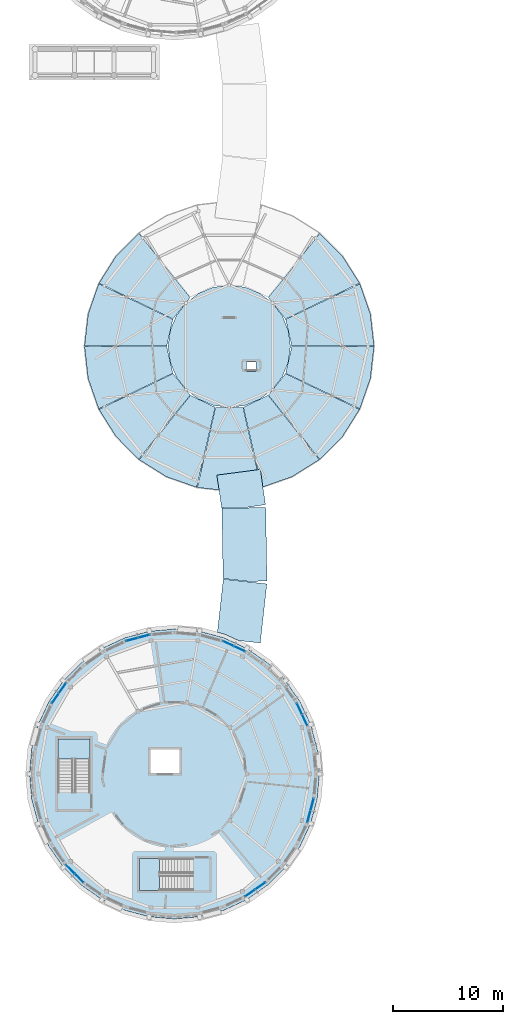
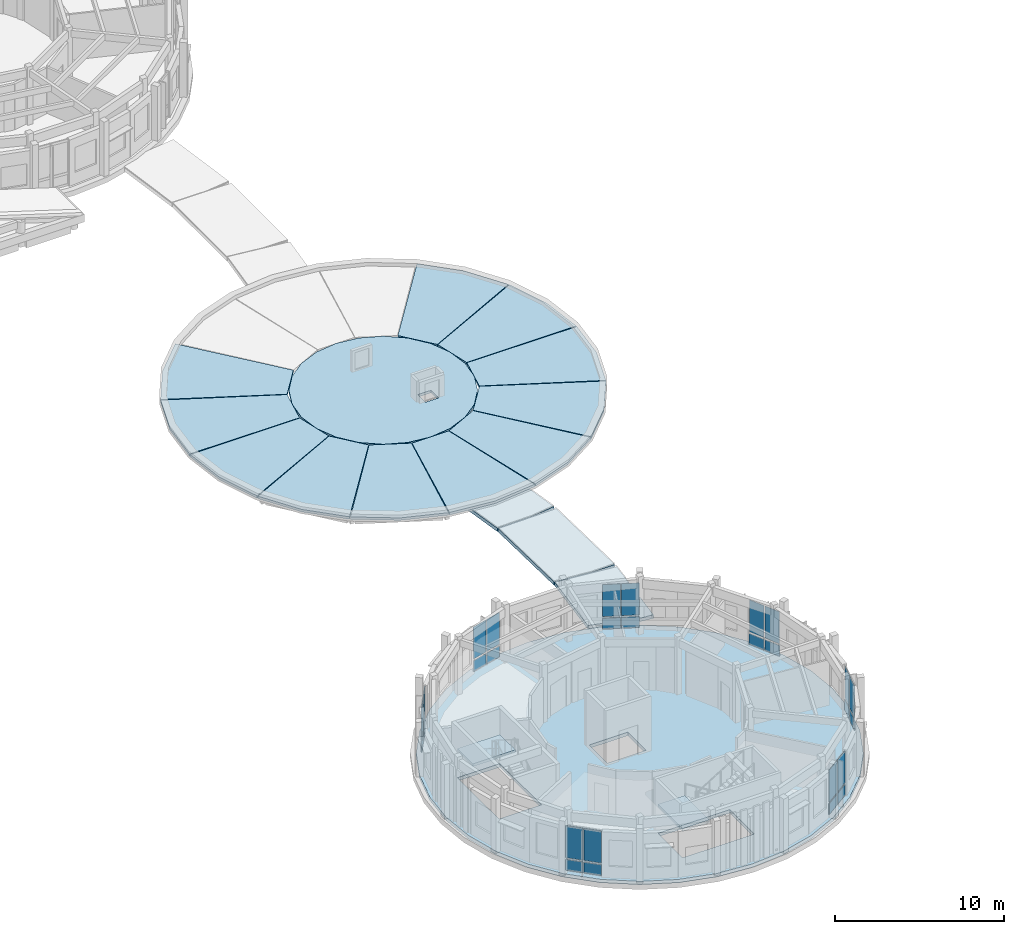
# One storey, part 21 of 58: 28 plates, 18 slabs, 9 elements without a shape of their own.
"""IFC4 building model written with IfcOpenShell, lengths in metres."""

from ifc_helpers import new_model, si_unit, direction, frame, origin, origin_2d, place, context, subcontext, project, spatial, polyline, rectangle, outline, extrude, material, layer, layer_set, type_object, element, aggregate, save


model = new_model("IFC4")

# Units and contexts
model_context = context("Model", 3, precision=1e-05, world=origin(), true_north=direction((0.0, 1.0)))
body_context = subcontext(model_context, "Body", "Model", "MODEL_VIEW")
ifc_project = project(units=[si_unit("LENGTHUNIT", "METRE"), si_unit("AREAUNIT", "SQUARE_METRE"), si_unit("VOLUMEUNIT", "CUBIC_METRE"), si_unit("PLANEANGLEUNIT", "RADIAN"), si_unit("MASSUNIT", "GRAM", prefix="KILO")], contexts=[model_context])

# Site, building, storey
site_placement = place(None, origin())
site = spatial("IfcSite", under=ifc_project, at=site_placement, CompositionType="ELEMENT")
building_placement = place(site_placement, origin())
building = spatial("IfcBuilding", under=site, at=building_placement, Name="Aldenvaro Health Centre", CompositionType="ELEMENT")
storey_placement = place(building_placement, frame((0.0, 0.0, 8.75)))
storey = spatial("IfcBuildingStorey", under=building, at=storey_placement, Name="L02", CompositionType="ELEMENT", Elevation=8.75)

# Curtain wall, plates
ifc_material_1 = material(Name="Anodised Aluminium 6063-T6", Category="aluminium")
ifc_layer_1 = layer(ifc_material_1, 0.195068359375, Name="Anodised Aluminium 6063-T6", Category="aluminium")
ifc_layer_set_1 = layer_set([ifc_layer_1], Name="Anodised Aluminium 6063-T6")
curtain_wall_type = type_object("IfcCurtainWallType", Name="CW-CLN-02", PredefinedType="NOTDEFINED", material=ifc_layer_set_1)
curtain_wall_1_placement = place(storey_placement, origin())
curtain_wall_1 = element("IfcCurtainWall", 1, at=curtain_wall_1_placement, inside=storey, type_object=curtain_wall_type, Name="D5 L02 curtain wall bay 02", PredefinedType="NOTDEFINED")
ifc_material_2 = material(Name="Low-E Double Glazing IGU", Category="glass")
ifc_layer_2 = layer(ifc_material_2, 0.028076171875, Name="Low-E Double Glazing IGU", Category="glass")
ifc_layer_set_2 = layer_set([ifc_layer_2], Name="Low-E Double Glazing IGU")
plate_type_1 = type_object("IfcPlateType", Name="CWP-IGU-28", PredefinedType="CURTAIN_PANEL", material=ifc_layer_set_2)
plate_1_placement = place(storey_placement, frame((31.05908203125, 15.717041015625, 0.96044921875), z_axis=(0.0, 0.0, 1.0), x_axis=(-0.258825000966, -0.9659242304, 0.0)))
plate_1 = element("IfcPlate", 2, at=plate_1_placement, type_object=plate_type_1, Name="D5 L02 curtain wall bay 02 vision glazing 1", PredefinedType="CURTAIN_PANEL", context=body_context, shape_type="SweptSolid", body=[
    extrude(rectangle(XDim=1.053955078125, YDim=0.028076171875, at=origin_2d()), origin(), (0.0, 0.0, 1.0), 2.30908203125),
])
plate_2_placement = place(storey_placement, frame((30.76708984375, 14.631103515625, 0.96044921875), z_axis=(0.0, 0.0, 1.0), x_axis=(-0.258825000966, -0.9659242304, 0.0)))
plate_2 = element("IfcPlate", 3, at=plate_2_placement, type_object=plate_type_1, Name="D5 L02 curtain wall bay 02 vision glazing 2", PredefinedType="CURTAIN_PANEL", context=body_context, shape_type="SweptSolid", body=[
    extrude(rectangle(XDim=1.053955078125, YDim=0.028076171875, at=origin_2d()), origin(), (0.0, 0.0, 1.0), 2.30908203125),
])

curtain_wall_2_placement = place(storey_placement, origin())
curtain_wall_2 = element("IfcCurtainWall", 4, at=curtain_wall_2_placement, inside=storey, type_object=curtain_wall_type, Name="D5 L02 curtain wall bay 06", PredefinedType="NOTDEFINED")
plate_3_placement = place(storey_placement, frame((26.33203125, 8.2958984375, 0.96044921875), z_axis=(0.0, 0.0, 1.0), x_axis=(-0.819106553991, -0.573641397746, 0.0)))
plate_3 = element("IfcPlate", 5, at=plate_3_placement, type_object=plate_type_1, Name="D5 L02 curtain wall bay 06 vision glazing 1", PredefinedType="CURTAIN_PANEL", context=body_context, shape_type="SweptSolid", body=[
    extrude(rectangle(XDim=1.053955078125, YDim=0.028076171875, at=origin_2d()), origin(), (0.0, 0.0, 1.0), 2.30908203125),
])
plate_4_placement = place(storey_placement, frame((25.409912109375, 7.65087890625, 0.96044921875), z_axis=(0.0, 0.0, 1.0), x_axis=(-0.819106553991, -0.573641397746, 0.0)))
plate_4 = element("IfcPlate", 6, at=plate_4_placement, type_object=plate_type_1, Name="D5 L02 curtain wall bay 06 vision glazing 2", PredefinedType="CURTAIN_PANEL", context=body_context, shape_type="SweptSolid", body=[
    extrude(rectangle(XDim=1.053955078125, YDim=0.028076171875, at=origin_2d()), origin(), (0.0, 0.0, 1.0), 2.30908203125),
])

curtain_wall_3_placement = place(storey_placement, origin())
curtain_wall_3 = element("IfcCurtainWall", 7, at=curtain_wall_3_placement, inside=storey, type_object=curtain_wall_type, Name="D5 L02 curtain wall bay 14", PredefinedType="NOTDEFINED")
plate_5_placement = place(storey_placement, frame((9.81103515625, 9.014892578125, 0.96044921875), z_axis=(0.0, 0.0, 1.0), x_axis=(-0.707106781187, 0.707106781187, 0.0)))
plate_5 = element("IfcPlate", 8, at=plate_5_placement, type_object=plate_type_1, Name="D5 L02 curtain wall bay 14 vision glazing 1", PredefinedType="CURTAIN_PANEL", context=body_context, shape_type="SweptSolid", body=[
    extrude(rectangle(XDim=1.053955078125, YDim=0.028076171875, at=origin_2d()), origin(), (0.0, 0.0, 1.0), 2.30908203125),
])
plate_6_placement = place(storey_placement, frame((9.014892578125, 9.81103515625, 0.96044921875), z_axis=(0.0, 0.0, 1.0), x_axis=(-0.707106781187, 0.707106781187, 0.0)))
plate_6 = element("IfcPlate", 9, at=plate_6_placement, type_object=plate_type_1, Name="D5 L02 curtain wall bay 14 vision glazing 2", PredefinedType="CURTAIN_PANEL", context=body_context, shape_type="SweptSolid", body=[
    extrude(rectangle(XDim=1.053955078125, YDim=0.028076171875, at=origin_2d()), origin(), (0.0, 0.0, 1.0), 2.30908203125),
])

curtain_wall_4_placement = place(storey_placement, origin())
curtain_wall_4 = element("IfcCurtainWall", 10, at=curtain_wall_4_placement, inside=storey, type_object=curtain_wall_type, Name="D5 L02 curtain wall bay 22", PredefinedType="NOTDEFINED")
plate_7_placement = place(storey_placement, frame((7.65087890625, 25.409912109375, 0.96044921875), z_axis=(0.0, 0.0, 1.0), x_axis=(0.573641397746, 0.819106553991, 0.0)))
plate_7 = element("IfcPlate", 11, at=plate_7_placement, type_object=plate_type_1, Name="D5 L02 curtain wall bay 22 vision glazing 1", PredefinedType="CURTAIN_PANEL", context=body_context, shape_type="SweptSolid", body=[
    extrude(rectangle(XDim=1.053955078125, YDim=0.028076171875, at=origin_2d()), origin(), (0.0, 0.0, 1.0), 2.30908203125),
])
plate_8_placement = place(storey_placement, frame((8.2958984375, 26.33203125, 0.96044921875), z_axis=(0.0, 0.0, 1.0), x_axis=(0.573641397746, 0.819106553991, 0.0)))
plate_8 = element("IfcPlate", 12, at=plate_8_placement, type_object=plate_type_1, Name="D5 L02 curtain wall bay 22 vision glazing 2", PredefinedType="CURTAIN_PANEL", context=body_context, shape_type="SweptSolid", body=[
    extrude(rectangle(XDim=1.053955078125, YDim=0.028076171875, at=origin_2d()), origin(), (0.0, 0.0, 1.0), 2.30908203125),
])

curtain_wall_5_placement = place(storey_placement, origin())
curtain_wall_5 = element("IfcCurtainWall", 13, at=curtain_wall_5_placement, inside=storey, type_object=curtain_wall_type, Name="D5 L02 curtain wall bay 26", PredefinedType="NOTDEFINED")
plate_9_placement = place(storey_placement, frame((14.631103515625, 30.76708984375, 0.96044921875), z_axis=(0.0, 0.0, 1.0), x_axis=(0.9659242304, 0.258825000966, 0.0)))
plate_9 = element("IfcPlate", 14, at=plate_9_placement, type_object=plate_type_1, Name="D5 L02 curtain wall bay 26 vision glazing 1", PredefinedType="CURTAIN_PANEL", context=body_context, shape_type="SweptSolid", body=[
    extrude(rectangle(XDim=1.053955078125, YDim=0.028076171875, at=origin_2d()), origin(), (0.0, 0.0, 1.0), 2.30908203125),
])
plate_10_placement = place(storey_placement, frame((15.717041015625, 31.05908203125, 0.96044921875), z_axis=(0.0, 0.0, 1.0), x_axis=(0.9659242304, 0.258825000966, 0.0)))
plate_10 = element("IfcPlate", 15, at=plate_10_placement, type_object=plate_type_1, Name="D5 L02 curtain wall bay 26 vision glazing 2", PredefinedType="CURTAIN_PANEL", context=body_context, shape_type="SweptSolid", body=[
    extrude(rectangle(XDim=1.053955078125, YDim=0.028076171875, at=origin_2d()), origin(), (0.0, 0.0, 1.0), 2.30908203125),
])

curtain_wall_6_placement = place(storey_placement, origin())
curtain_wall_6 = element("IfcCurtainWall", 16, at=curtain_wall_6_placement, inside=storey, type_object=curtain_wall_type, Name="D5 L02 curtain wall bay 30", PredefinedType="NOTDEFINED")
plate_11_placement = place(storey_placement, frame((23.4208984375, 30.384033203125, 0.96044921875), z_axis=(0.0, 0.0, 1.0), x_axis=(0.906364844733, -0.422495879545, 0.0)))
plate_11 = element("IfcPlate", 17, at=plate_11_placement, type_object=plate_type_1, Name="D5 L02 curtain wall bay 30 vision glazing 1", PredefinedType="CURTAIN_PANEL", context=body_context, shape_type="SweptSolid", body=[
    extrude(rectangle(XDim=1.053955078125, YDim=0.028076171875, at=origin_2d()), origin(), (0.0, 0.0, 1.0), 2.30908203125),
])
plate_12_placement = place(storey_placement, frame((24.44091796875, 29.909912109375, 0.96044921875), z_axis=(0.0, 0.0, 1.0), x_axis=(0.906364844733, -0.422495879545, 0.0)))
plate_12 = element("IfcPlate", 18, at=plate_12_placement, type_object=plate_type_1, Name="D5 L02 curtain wall bay 30 vision glazing 2", PredefinedType="CURTAIN_PANEL", context=body_context, shape_type="SweptSolid", body=[
    extrude(rectangle(XDim=1.053955078125, YDim=0.028076171875, at=origin_2d()), origin(), (0.0, 0.0, 1.0), 2.30908203125),
])

curtain_wall_7_placement = place(storey_placement, origin())
curtain_wall_7 = element("IfcCurtainWall", 19, at=curtain_wall_7_placement, inside=storey, type_object=curtain_wall_type, Name="D5 L02 curtain wall bay 34", PredefinedType="NOTDEFINED")
plate_13_placement = place(storey_placement, frame((29.909912109375, 24.44091796875, 0.96044921875), z_axis=(0.0, 0.0, 1.0), x_axis=(0.422495879545, -0.906364844733, 0.0)))
plate_13 = element("IfcPlate", 20, at=plate_13_placement, type_object=plate_type_1, Name="D5 L02 curtain wall bay 34 vision glazing 1", PredefinedType="CURTAIN_PANEL", context=body_context, shape_type="SweptSolid", body=[
    extrude(rectangle(XDim=1.053955078125, YDim=0.028076171875, at=origin_2d()), origin(), (0.0, 0.0, 1.0), 2.30908203125),
])
plate_14_placement = place(storey_placement, frame((30.384033203125, 23.4208984375, 0.96044921875), z_axis=(0.0, 0.0, 1.0), x_axis=(0.422495879545, -0.906364844733, 0.0)))
plate_14 = element("IfcPlate", 21, at=plate_14_placement, type_object=plate_type_1, Name="D5 L02 curtain wall bay 34 vision glazing 2", PredefinedType="CURTAIN_PANEL", context=body_context, shape_type="SweptSolid", body=[
    extrude(rectangle(XDim=1.053955078125, YDim=0.028076171875, at=origin_2d()), origin(), (0.0, 0.0, 1.0), 2.30908203125),
])

# Plate
ifc_material_3 = material(Name="Insulated Aluminium Spandrel", Category="aluminium")
ifc_layer_3 = layer(ifc_material_3, 0.035888671875, Name="Insulated Aluminium Spandrel", Category="aluminium")
ifc_layer_set_3 = layer_set([ifc_layer_3], Name="Insulated Aluminium Spandrel")
plate_type_2 = type_object("IfcPlateType", Name="CWP-SPN-36", PredefinedType="CURTAIN_PANEL", material=ifc_layer_set_3)
plate_15_placement = place(storey_placement, frame((31.05908203125, 15.717041015625, 0.06005859375), z_axis=(0.0, 0.0, 1.0), x_axis=(-0.258825000966, -0.9659242304, 0.0)))
plate_15 = element("IfcPlate", 22, at=plate_15_placement, type_object=plate_type_2, Name="D5 L02 curtain wall bay 02 spandrel panel 1", PredefinedType="CURTAIN_PANEL", context=body_context, shape_type="SweptSolid", body=[
    extrude(rectangle(XDim=1.053955078125, YDim=0.035888671875, at=origin_2d()), origin(), (0.0, 0.0, 1.0), 0.780029296875),
])

plate_16_placement = place(storey_placement, frame((30.76708984375, 14.631103515625, 0.06005859375), z_axis=(0.0, 0.0, 1.0), x_axis=(-0.258825000966, -0.9659242304, 0.0)))
plate_16 = element("IfcPlate", 23, at=plate_16_placement, type_object=plate_type_2, Name="D5 L02 curtain wall bay 02 spandrel panel 2", PredefinedType="CURTAIN_PANEL", context=body_context, shape_type="SweptSolid", body=[
    extrude(rectangle(XDim=1.053955078125, YDim=0.035888671875, at=origin_2d()), origin(), (0.0, 0.0, 1.0), 0.780029296875),
])

aggregate(curtain_wall_1, [plate_15, plate_1, plate_16, plate_2])

plate_17_placement = place(storey_placement, frame((26.33203125, 8.2958984375, 0.06005859375), z_axis=(0.0, 0.0, 1.0), x_axis=(-0.819106553991, -0.573641397746, 0.0)))
plate_17 = element("IfcPlate", 24, at=plate_17_placement, type_object=plate_type_2, Name="D5 L02 curtain wall bay 06 spandrel panel 1", PredefinedType="CURTAIN_PANEL", context=body_context, shape_type="SweptSolid", body=[
    extrude(rectangle(XDim=1.053955078125, YDim=0.035888671875, at=origin_2d()), origin(), (0.0, 0.0, 1.0), 0.780029296875),
])

plate_18_placement = place(storey_placement, frame((25.409912109375, 7.65087890625, 0.06005859375), z_axis=(0.0, 0.0, 1.0), x_axis=(-0.819106553991, -0.573641397746, 0.0)))
plate_18 = element("IfcPlate", 25, at=plate_18_placement, type_object=plate_type_2, Name="D5 L02 curtain wall bay 06 spandrel panel 2", PredefinedType="CURTAIN_PANEL", context=body_context, shape_type="SweptSolid", body=[
    extrude(rectangle(XDim=1.053955078125, YDim=0.035888671875, at=origin_2d()), origin(), (0.0, 0.0, 1.0), 0.780029296875),
])

aggregate(curtain_wall_2, [plate_17, plate_3, plate_18, plate_4])

plate_19_placement = place(storey_placement, frame((9.81103515625, 9.014892578125, 0.06005859375), z_axis=(0.0, 0.0, 1.0), x_axis=(-0.707106781187, 0.707106781187, 0.0)))
plate_19 = element("IfcPlate", 26, at=plate_19_placement, type_object=plate_type_2, Name="D5 L02 curtain wall bay 14 spandrel panel 1", PredefinedType="CURTAIN_PANEL", context=body_context, shape_type="SweptSolid", body=[
    extrude(rectangle(XDim=1.053955078125, YDim=0.035888671875, at=origin_2d()), origin(), (0.0, 0.0, 1.0), 0.780029296875),
])

plate_20_placement = place(storey_placement, frame((9.014892578125, 9.81103515625, 0.06005859375), z_axis=(0.0, 0.0, 1.0), x_axis=(-0.707106781187, 0.707106781187, 0.0)))
plate_20 = element("IfcPlate", 27, at=plate_20_placement, type_object=plate_type_2, Name="D5 L02 curtain wall bay 14 spandrel panel 2", PredefinedType="CURTAIN_PANEL", context=body_context, shape_type="SweptSolid", body=[
    extrude(rectangle(XDim=1.053955078125, YDim=0.035888671875, at=origin_2d()), origin(), (0.0, 0.0, 1.0), 0.780029296875),
])

aggregate(curtain_wall_3, [plate_19, plate_5, plate_20, plate_6])

plate_21_placement = place(storey_placement, frame((7.65087890625, 25.409912109375, 0.06005859375), z_axis=(0.0, 0.0, 1.0), x_axis=(0.573641397746, 0.819106553991, 0.0)))
plate_21 = element("IfcPlate", 28, at=plate_21_placement, type_object=plate_type_2, Name="D5 L02 curtain wall bay 22 spandrel panel 1", PredefinedType="CURTAIN_PANEL", context=body_context, shape_type="SweptSolid", body=[
    extrude(rectangle(XDim=1.053955078125, YDim=0.035888671875, at=origin_2d()), origin(), (0.0, 0.0, 1.0), 0.780029296875),
])

plate_22_placement = place(storey_placement, frame((8.2958984375, 26.33203125, 0.06005859375), z_axis=(0.0, 0.0, 1.0), x_axis=(0.573641397746, 0.819106553991, 0.0)))
plate_22 = element("IfcPlate", 29, at=plate_22_placement, type_object=plate_type_2, Name="D5 L02 curtain wall bay 22 spandrel panel 2", PredefinedType="CURTAIN_PANEL", context=body_context, shape_type="SweptSolid", body=[
    extrude(rectangle(XDim=1.053955078125, YDim=0.035888671875, at=origin_2d()), origin(), (0.0, 0.0, 1.0), 0.780029296875),
])

aggregate(curtain_wall_4, [plate_21, plate_7, plate_22, plate_8])

plate_23_placement = place(storey_placement, frame((14.631103515625, 30.76708984375, 0.06005859375), z_axis=(0.0, 0.0, 1.0), x_axis=(0.9659242304, 0.258825000966, 0.0)))
plate_23 = element("IfcPlate", 30, at=plate_23_placement, type_object=plate_type_2, Name="D5 L02 curtain wall bay 26 spandrel panel 1", PredefinedType="CURTAIN_PANEL", context=body_context, shape_type="SweptSolid", body=[
    extrude(rectangle(XDim=1.053955078125, YDim=0.035888671875, at=origin_2d()), origin(), (0.0, 0.0, 1.0), 0.780029296875),
])

plate_24_placement = place(storey_placement, frame((15.717041015625, 31.05908203125, 0.06005859375), z_axis=(0.0, 0.0, 1.0), x_axis=(0.9659242304, 0.258825000966, 0.0)))
plate_24 = element("IfcPlate", 31, at=plate_24_placement, type_object=plate_type_2, Name="D5 L02 curtain wall bay 26 spandrel panel 2", PredefinedType="CURTAIN_PANEL", context=body_context, shape_type="SweptSolid", body=[
    extrude(rectangle(XDim=1.053955078125, YDim=0.035888671875, at=origin_2d()), origin(), (0.0, 0.0, 1.0), 0.780029296875),
])

aggregate(curtain_wall_5, [plate_23, plate_9, plate_24, plate_10])

plate_25_placement = place(storey_placement, frame((23.4208984375, 30.384033203125, 0.06005859375), z_axis=(0.0, 0.0, 1.0), x_axis=(0.906364844733, -0.422495879545, 0.0)))
plate_25 = element("IfcPlate", 32, at=plate_25_placement, type_object=plate_type_2, Name="D5 L02 curtain wall bay 30 spandrel panel 1", PredefinedType="CURTAIN_PANEL", context=body_context, shape_type="SweptSolid", body=[
    extrude(rectangle(XDim=1.053955078125, YDim=0.035888671875, at=origin_2d()), origin(), (0.0, 0.0, 1.0), 0.780029296875),
])

plate_26_placement = place(storey_placement, frame((24.44091796875, 29.909912109375, 0.06005859375), z_axis=(0.0, 0.0, 1.0), x_axis=(0.906364844733, -0.422495879545, 0.0)))
plate_26 = element("IfcPlate", 33, at=plate_26_placement, type_object=plate_type_2, Name="D5 L02 curtain wall bay 30 spandrel panel 2", PredefinedType="CURTAIN_PANEL", context=body_context, shape_type="SweptSolid", body=[
    extrude(rectangle(XDim=1.053955078125, YDim=0.035888671875, at=origin_2d()), origin(), (0.0, 0.0, 1.0), 0.780029296875),
])

aggregate(curtain_wall_6, [plate_25, plate_11, plate_26, plate_12])

plate_27_placement = place(storey_placement, frame((29.909912109375, 24.44091796875, 0.06005859375), z_axis=(0.0, 0.0, 1.0), x_axis=(0.422495879545, -0.906364844733, 0.0)))
plate_27 = element("IfcPlate", 34, at=plate_27_placement, type_object=plate_type_2, Name="D5 L02 curtain wall bay 34 spandrel panel 1", PredefinedType="CURTAIN_PANEL", context=body_context, shape_type="SweptSolid", body=[
    extrude(rectangle(XDim=1.053955078125, YDim=0.035888671875, at=origin_2d()), origin(), (0.0, 0.0, 1.0), 0.780029296875),
])

plate_28_placement = place(storey_placement, frame((30.384033203125, 23.4208984375, 0.06005859375), z_axis=(0.0, 0.0, 1.0), x_axis=(0.422495879545, -0.906364844733, 0.0)))
plate_28 = element("IfcPlate", 35, at=plate_28_placement, type_object=plate_type_2, Name="D5 L02 curtain wall bay 34 spandrel panel 2", PredefinedType="CURTAIN_PANEL", context=body_context, shape_type="SweptSolid", body=[
    extrude(rectangle(XDim=1.053955078125, YDim=0.035888671875, at=origin_2d()), origin(), (0.0, 0.0, 1.0), 0.780029296875),
])

aggregate(curtain_wall_7, [plate_27, plate_13, plate_28, plate_14])

# Slab
ifc_material_4 = material(Name="Cross-laminated timber CLT E1", Category="wood")
ifc_layer_4 = layer(ifc_material_4, 0.2451171875, Name="Cross-laminated timber CLT E1", Category="wood")
ifc_layer_set_4 = layer_set([ifc_layer_4], Name="Cross-laminated timber CLT E1")
slab_type_1 = type_object("IfcSlabType", Name="SLB-CLT-245", PredefinedType="FLOOR", material=ifc_layer_set_4)
slab_1_placement = place(storey_placement, frame((0.0, 0.0, -0.2451171875)))
element("IfcSlab", 36, at=slab_1_placement, inside=storey, type_object=slab_type_1, Name="D5 L02 floor slab", PredefinedType="FLOOR", context=body_context, shape_type="SweptSolid", body=[
    extrude(outline(polyline([(31.719970703125, 18.5), (31.51904296875, 20.7958984375), (30.923095703125, 23.02197265625), (29.948974609375, 25.110107421875), (28.626953125, 26.998046875), (26.998046875, 28.626953125), (25.110107421875, 29.948974609375), (23.02197265625, 30.923095703125), (20.7958984375, 31.51904296875), (18.5, 31.719970703125), (16.2041015625, 31.51904296875), (13.97802734375, 30.923095703125), (11.889892578125, 29.948974609375), (10.001953125, 28.626953125), (8.373046875, 26.998046875), (7.051025390625, 25.110107421875), (6.076904296875, 23.02197265625), (5.48095703125, 20.7958984375), (5.280029296875, 18.5), (5.48095703125, 16.2041015625), (6.076904296875, 13.97802734375), (7.051025390625, 11.889892578125), (8.373046875, 10.001953125), (10.001953125, 8.373046875), (11.889892578125, 7.051025390625), (13.97802734375, 6.076904296875), (16.2041015625, 5.48095703125), (18.5, 5.280029296875), (20.7958984375, 5.48095703125), (23.02197265625, 6.076904296875), (25.110107421875, 7.051025390625), (26.998046875, 8.373046875), (28.626953125, 10.001953125), (29.948974609375, 11.889892578125), (30.923095703125, 13.97802734375), (31.51904296875, 16.2041015625), (31.719970703125, 18.5)]), holes=[polyline([(10.800048828125, 16.800048828125), (10.800048828125, 21.699951171875), (7.89990234375, 21.699951171875), (7.89990234375, 16.800048828125), (10.800048828125, 16.800048828125)]), polyline([(20.199951171875, 10.800048828125), (15.300048828125, 10.800048828125), (15.300048828125, 7.89990234375), (20.199951171875, 7.89990234375), (20.199951171875, 10.800048828125)]), polyline([(16.324951171875, 18.574951171875), (18.97509765625, 18.574951171875), (18.97509765625, 20.72509765625), (16.324951171875, 20.72509765625), (16.324951171875, 18.574951171875)])]), origin(), (0.0, 0.0, 1.0), 0.2451171875),
])

# Stair, slab
ifc_material_5 = material(Name="Concrete f'c 40 MPa", Category="concrete")
stair_type = type_object("IfcStairType", Name="STR-DOG-420", PredefinedType="HALF_TURN_STAIR", material=ifc_material_5)
stair_1_placement = place(storey_placement, origin())
stair_1 = element("IfcStair", 37, at=stair_1_placement, inside=storey, type_object=stair_type, Name="L02 Exit Stair ST-09", PredefinedType="HALF_TURN_STAIR")
ifc_layer_5 = layer(ifc_material_5, 0.199951171875, Name="Concrete f'c 40 MPa", Category="concrete")
ifc_layer_set_5 = layer_set([ifc_layer_5], Name="Concrete f'c 40 MPa")
slab_type_2 = type_object("IfcSlabType", Name="SLB-LND-200", PredefinedType="LANDING", material=ifc_layer_set_5)
slab_2_placement = place(storey_placement, frame((0.0, 0.0, 1.89990234375)))
slab_2 = element("IfcSlab", 38, at=slab_2_placement, type_object=slab_type_2, Name="ST-09 landing 1", PredefinedType="LANDING", context=body_context, shape_type="SweptSolid", body=[
    extrude(outline(polyline([(10.800048828125, 19.8798828125), (10.800048828125, 21.699951171875), (7.89990234375, 21.699951171875), (7.89990234375, 19.8798828125), (10.800048828125, 19.8798828125)])), origin(), (0.0, 0.0, 1.0), 0.2001953125),
])
aggregate(stair_1, [slab_2])

stair_2_placement = place(storey_placement, origin())
stair_2 = element("IfcStair", 39, at=stair_2_placement, inside=storey, type_object=stair_type, Name="L02 Exit Stair ST-10", PredefinedType="HALF_TURN_STAIR")
slab_3_placement = place(storey_placement, frame((0.0, 0.0, 1.89990234375)))
slab_3 = element("IfcSlab", 40, at=slab_3_placement, type_object=slab_type_2, Name="ST-10 landing 1", PredefinedType="LANDING", context=body_context, shape_type="SweptSolid", body=[
    extrude(outline(polyline([(17.1201171875, 10.800048828125), (15.300048828125, 10.800048828125), (15.300048828125, 7.89990234375), (17.1201171875, 7.89990234375), (17.1201171875, 10.800048828125)])), origin(), (0.0, 0.0, 1.0), 0.2001953125),
])
aggregate(stair_2, [slab_3])

# Slabs
ifc_layer_6 = layer(ifc_material_4, 0.175048828125, Name="Cross-laminated timber CLT E1", Category="wood")
ifc_layer_set_6 = layer_set([ifc_layer_6], Name="Cross-laminated timber CLT E1")
slab_type_3 = type_object("IfcSlabType", Name="SLB-ROOF-175", PredefinedType="ROOF", material=ifc_layer_set_6)
slab_4_placement = place(storey_placement, frame((0.0, 0.0, 0.6201171875)))
element("IfcSlab", 41, at=slab_4_placement, inside=storey, type_object=slab_type_3, Name="D3 Overhanging Flat Roof Sector 01", PredefinedType="ROOF", context=body_context, shape_type="SweptSolid", body=[
    extrude(outline(polyline([(36.699951171875, 57.528076171875), (36.368896484375, 60.43701171875), (35.405029296875, 63.202880859375), (28.64111328125, 59.962890625), (29.199951171875, 57.511962890625), (36.699951171875, 57.528076171875)])), origin(), (0.0, 0.0, 1.0), 0.1748046875),
])
slab_5_placement = place(storey_placement, frame((0.0, 0.0, 0.6201171875)))
element("IfcSlab", 42, at=slab_5_placement, inside=storey, type_object=slab_type_3, Name="D3 Overhanging Flat Roof Sector 02", PredefinedType="ROOF", context=body_context, shape_type="SweptSolid", body=[
    extrude(outline(polyline([(35.381103515625, 63.251953125), (33.820068359375, 65.72998046875), (31.751953125, 67.802978515625), (27.06298828125, 61.948974609375), (28.6298828125, 59.98388671875), (35.381103515625, 63.251953125)])), origin(), (0.0, 0.0, 1.0), 0.1748046875),
])
slab_6_placement = place(storey_placement, frame((0.0, 0.0, 0.6201171875)))
element("IfcSlab", 43, at=slab_6_placement, inside=storey, type_object=slab_type_3, Name="D3 Overhanging Flat Roof Sector 06", PredefinedType="ROOF", context=body_context, shape_type="SweptSolid", body=[
    extrude(outline(polyline([(15.248046875, 67.802978515625), (13.179931640625, 65.72998046875), (11.618896484375, 63.251953125), (18.3701171875, 59.98388671875), (19.93701171875, 61.948974609375), (15.248046875, 67.802978515625)])), origin(), (0.0, 0.0, 1.0), 0.1748046875),
])
slab_7_placement = place(storey_placement, frame((0.0, 0.0, 0.6201171875)))
element("IfcSlab", 44, at=slab_7_placement, inside=storey, type_object=slab_type_3, Name="D3 Overhanging Flat Roof Sector 07", PredefinedType="ROOF", context=body_context, shape_type="SweptSolid", body=[
    extrude(outline(polyline([(11.594970703125, 63.202880859375), (10.631103515625, 60.43701171875), (10.300048828125, 57.528076171875), (17.800048828125, 57.511962890625), (18.35888671875, 59.962890625), (11.594970703125, 63.202880859375)])), origin(), (0.0, 0.0, 1.0), 0.1748046875),
])
slab_8_placement = place(storey_placement, frame((0.0, 0.0, 0.6201171875)))
element("IfcSlab", 45, at=slab_8_placement, inside=storey, type_object=slab_type_3, Name="D3 Overhanging Flat Roof Sector 08", PredefinedType="ROOF", context=body_context, shape_type="SweptSolid", body=[
    extrude(outline(polyline([(10.300048828125, 57.471923828125), (10.631103515625, 54.56298828125), (11.594970703125, 51.797119140625), (18.35888671875, 55.037109375), (17.800048828125, 57.488037109375), (10.300048828125, 57.471923828125)])), origin(), (0.0, 0.0, 1.0), 0.1748046875),
])
slab_9_placement = place(storey_placement, frame((0.0, 0.0, 0.6201171875)))
element("IfcSlab", 46, at=slab_9_placement, inside=storey, type_object=slab_type_3, Name="D3 Overhanging Flat Roof Sector 09", PredefinedType="ROOF", context=body_context, shape_type="SweptSolid", body=[
    extrude(outline(polyline([(11.618896484375, 51.748046875), (13.179931640625, 49.27001953125), (15.248046875, 47.197021484375), (19.93701171875, 53.051025390625), (18.3701171875, 55.01611328125), (11.618896484375, 51.748046875)])), origin(), (0.0, 0.0, 1.0), 0.1748046875),
])
slab_10_placement = place(storey_placement, frame((0.0, 0.0, 0.6201171875)))
element("IfcSlab", 47, at=slab_10_placement, inside=storey, type_object=slab_type_3, Name="D3 Overhanging Flat Roof Sector 10", PredefinedType="ROOF", context=body_context, shape_type="SweptSolid", body=[
    extrude(outline(polyline([(15.291015625, 47.1630859375), (17.77197265625, 45.60693359375), (20.535888671875, 44.636962890625), (22.219970703125, 51.946044921875), (19.955078125, 53.035888671875), (15.291015625, 47.1630859375)])), origin(), (0.0, 0.0, 1.0), 0.1748046875),
])
slab_11_placement = place(storey_placement, frame((0.0, 0.0, 0.6201171875)))
element("IfcSlab", 48, at=slab_11_placement, inside=storey, type_object=slab_type_3, Name="D3 Overhanging Flat Roof Sector 11", PredefinedType="ROOF", context=body_context, shape_type="SweptSolid", body=[
    extrude(outline(polyline([(20.589111328125, 44.625), (23.5, 44.300048828125), (26.410888671875, 44.625), (24.757080078125, 51.93994140625), (22.242919921875, 51.93994140625), (20.589111328125, 44.625)])), origin(), (0.0, 0.0, 1.0), 0.1748046875),
])
slab_12_placement = place(storey_placement, frame((0.0, 0.0, 0.6201171875)))
element("IfcSlab", 49, at=slab_12_placement, inside=storey, type_object=slab_type_3, Name="D3 Overhanging Flat Roof Sector 12", PredefinedType="ROOF", context=body_context, shape_type="SweptSolid", body=[
    extrude(outline(polyline([(26.464111328125, 44.636962890625), (29.22802734375, 45.60693359375), (31.708984375, 47.1630859375), (27.044921875, 53.035888671875), (24.780029296875, 51.946044921875), (26.464111328125, 44.636962890625)])), origin(), (0.0, 0.0, 1.0), 0.1748046875),
])
slab_13_placement = place(storey_placement, frame((0.0, 0.0, 0.6201171875)))
element("IfcSlab", 50, at=slab_13_placement, inside=storey, type_object=slab_type_3, Name="D3 Overhanging Flat Roof Sector 13", PredefinedType="ROOF", context=body_context, shape_type="SweptSolid", body=[
    extrude(outline(polyline([(31.751953125, 47.197021484375), (33.820068359375, 49.27001953125), (35.381103515625, 51.748046875), (28.6298828125, 55.01611328125), (27.06298828125, 53.051025390625), (31.751953125, 47.197021484375)])), origin(), (0.0, 0.0, 1.0), 0.1748046875),
])
slab_14_placement = place(storey_placement, frame((0.0, 0.0, 0.6201171875)))
element("IfcSlab", 51, at=slab_14_placement, inside=storey, type_object=slab_type_3, Name="D3 Overhanging Flat Roof Sector 14", PredefinedType="ROOF", context=body_context, shape_type="SweptSolid", body=[
    extrude(outline(polyline([(35.405029296875, 51.797119140625), (36.368896484375, 54.56298828125), (36.699951171875, 57.471923828125), (29.199951171875, 57.488037109375), (28.64111328125, 55.037109375), (35.405029296875, 51.797119140625)])), origin(), (0.0, 0.0, 1.0), 0.1748046875),
])
slab_15_placement = place(storey_placement, frame((0.0, 0.0, 0.6201171875)))
element("IfcSlab", 52, at=slab_15_placement, inside=storey, type_object=slab_type_3, Name="D3 Central Flat Roof Deck", PredefinedType="ROOF", context=body_context, shape_type="SweptSolid", body=[
    extrude(outline(polyline([(29.080078125, 57.5), (28.889892578125, 58.944091796875), (28.33203125, 60.2900390625), (27.446044921875, 61.446044921875), (26.2900390625, 62.33203125), (24.944091796875, 62.889892578125), (23.5, 63.080078125), (22.055908203125, 62.889892578125), (20.7099609375, 62.33203125), (19.553955078125, 61.446044921875), (18.66796875, 60.2900390625), (18.110107421875, 58.944091796875), (17.919921875, 57.5), (18.110107421875, 56.055908203125), (18.66796875, 54.7099609375), (19.553955078125, 53.553955078125), (20.7099609375, 52.66796875), (22.055908203125, 52.110107421875), (23.5, 51.919921875), (24.944091796875, 52.110107421875), (26.2900390625, 52.66796875), (27.446044921875, 53.553955078125), (28.33203125, 54.7099609375), (28.889892578125, 56.055908203125), (29.080078125, 57.5)]), holes=[polyline([(25.050048828125, 55.179931640625), (25.050048828125, 56.080078125), (25.949951171875, 56.080078125), (25.949951171875, 55.179931640625), (25.050048828125, 55.179931640625)])]), origin(), (0.0, 0.0, 1.0), 0.1748046875),
])
ifc_layer_7 = layer(ifc_material_5, 0.25, Name="Concrete f'c 40 MPa", Category="concrete")
ifc_layer_set_7 = layer_set([ifc_layer_7], Name="Concrete f'c 40 MPa")
slab_type_4 = type_object("IfcSlabType", Name="SLB-ROOF-250", PredefinedType="ROOF", material=ifc_layer_set_7)
slab_16_placement = place(storey_placement, frame((0.0, 0.0, -0.25)))
element("IfcSlab", 53, at=slab_16_placement, inside=storey, type_object=slab_type_4, Name="West South Curved Garden Walkway Arc 1 roof slab", PredefinedType="ROOF", context=body_context, shape_type="SweptSolid", body=[
    extrude(outline(polyline([(22.955078125, 36.278076171875), (26.930908203125, 35.8359375), (26.3330078125, 30.447998046875), (24.344970703125, 30.6689453125), (23.134033203125, 31.23291015625), (22.416015625, 31.425048828125), (22.955078125, 36.278076171875)])), origin(), (0.0, 0.0, 1.0), 0.25),
])
slab_17_placement = place(storey_placement, frame((0.0, 0.0, -0.25)))
element("IfcSlab", 54, at=slab_17_placement, inside=storey, type_object=slab_type_4, Name="West South Curved Garden Walkway Arc 2 roof slab", PredefinedType="ROOF", context=body_context, shape_type="SweptSolid", body=[
    extrude(outline(polyline([(22.825927734375, 42.736083984375), (26.825927734375, 42.805908203125), (26.943115234375, 36.092041015625), (25.256103515625, 36.06201171875), (22.93798828125, 36.320068359375), (22.825927734375, 42.736083984375)])), origin(), (0.0, 0.0, 1.0), 0.25),
])
slab_18_placement = place(storey_placement, frame((0.0, 0.0, -0.25)))
element("IfcSlab", 55, at=slab_18_placement, inside=storey, type_object=slab_type_4, Name="West South Curved Garden Walkway Arc 3 roof slab", PredefinedType="ROOF", context=body_context, shape_type="SweptSolid", body=[
    extrude(outline(polyline([(26.804931640625, 43.06103515625), (25.135986328125, 42.81591796875), (22.803955078125, 42.77587890625), (22.367919921875, 45.756103515625), (26.070068359375, 46.239990234375), (26.325927734375, 46.330078125), (26.804931640625, 43.06103515625)])), origin(), (0.0, 0.0, 1.0), 0.25),
])

save(model, "model.ifc")
